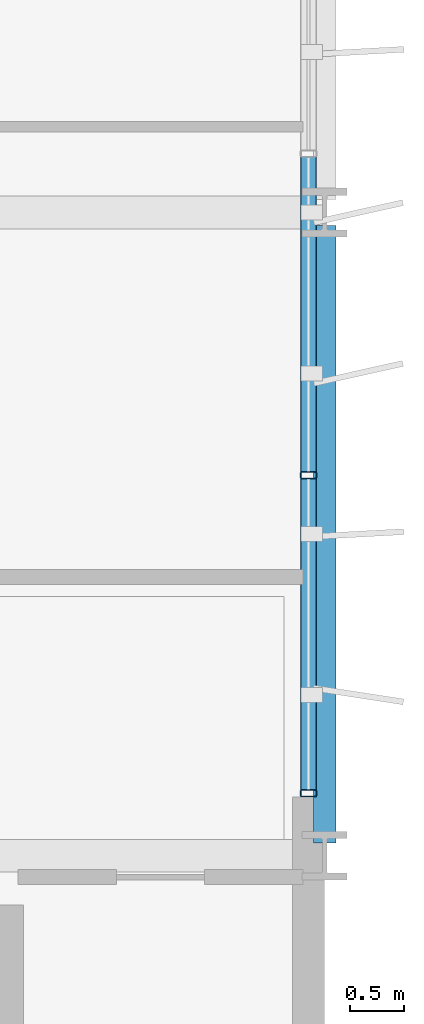
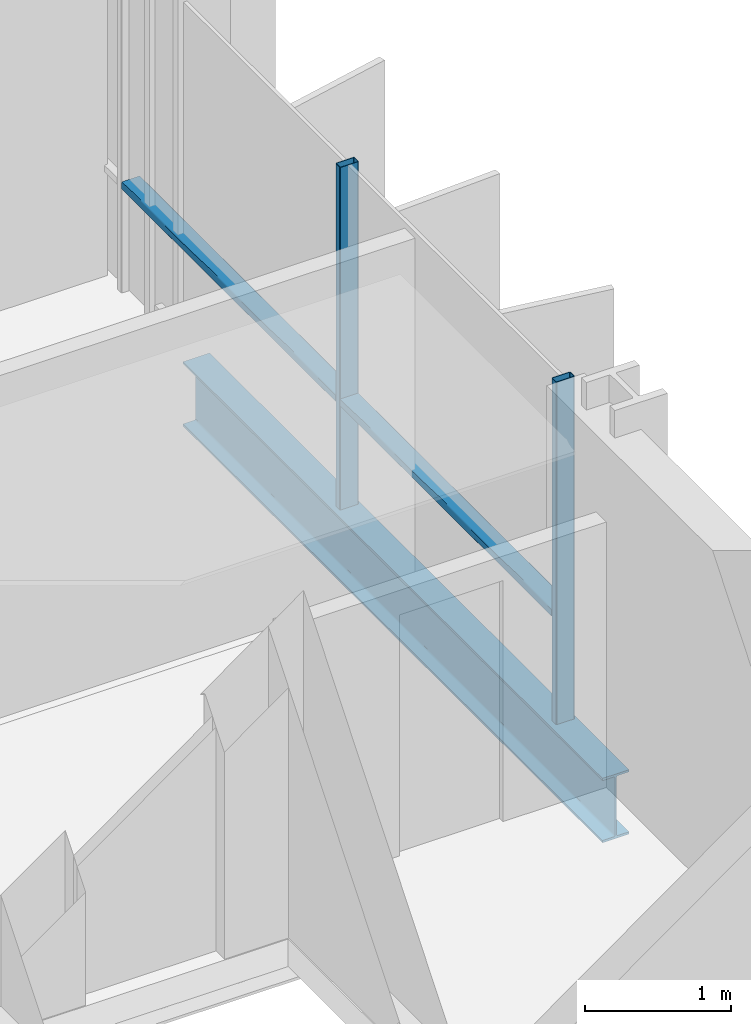
# One storey, part 15 of 39: 4 members, 1 beam, 1 element without a shape of its own.
"""IFC4 building model written with IfcOpenShell, lengths in metres."""

from ifc_helpers import new_model, si_unit, direction, frame, origin, origin_2d, place, context, subcontext, project, spatial, hollow_rectangle, i_section, extrude, material, layer, layer_set, material_profile, profile_set, type_object, element, aggregate, save


model = new_model("IFC4")

# Units and contexts
model_context = context("Model", 3, precision=1e-05, world=origin(), true_north=direction((0.0, 1.0)))
body_context = subcontext(model_context, "Body", "Model", "MODEL_VIEW")
ifc_project = project(units=[si_unit("LENGTHUNIT", "METRE"), si_unit("AREAUNIT", "SQUARE_METRE"), si_unit("VOLUMEUNIT", "CUBIC_METRE"), si_unit("PLANEANGLEUNIT", "RADIAN"), si_unit("MASSUNIT", "GRAM", prefix="KILO")], contexts=[model_context])

# Site, building, storey
site_placement = place(None, origin())
site = spatial("IfcSite", under=ifc_project, at=site_placement, CompositionType="ELEMENT")
building_placement = place(site_placement, origin())
building = spatial("IfcBuilding", under=site, at=building_placement, Name="Brevholm Reach", CompositionType="ELEMENT")
storey_placement = place(building_placement, frame((0.0, 0.0, 83.800048828125)))
storey = spatial("IfcBuildingStorey", under=building, at=storey_placement, Name="L24", CompositionType="ELEMENT", Elevation=83.800048828125)

# Beam
ifc_material_1 = material(Name="Structural Steel S355J2", Category="steel")
ifc_material_profile_1 = material_profile(ifc_material_1, i_section(OverallWidth=0.210693359375, OverallDepth=0.53955078125, WebThickness=0.01171875, FlangeThickness=0.018798828125, FilletRadius=0.0126953125, at=origin_2d()), Name="UKB 533x210x109")
ifc_profile_set_1 = profile_set([ifc_material_profile_1], Name="Structural Steel S355J2")
beam_type = type_object("IfcBeamType", Name="BM-SP539", PredefinedType="SPANDREL", material=ifc_profile_set_1)
beam_placement = place(storey_placement, frame((60.0, 10.1201171875, -0.499755859375), z_axis=(0.0, 1.0, 0.0), x_axis=(-1.0, 0.0, 0.0)))
element("IfcBeam", 1, at=beam_placement, inside=storey, type_object=beam_type, Name="L24 SP-01B Framing Beam", PredefinedType="SPANDREL", context=body_context, shape_type="SweptSolid", body=[
    extrude(i_section(OverallWidth=0.210693359375, OverallDepth=0.53955078125, WebThickness=0.01171875, FlangeThickness=0.018798828125, FilletRadius=0.0126953125, at=origin_2d()), origin(), (0.0, 0.0, 1.0), 5.759765625),
])

# Curtain wall, members
ifc_material_2 = material(Name="Dark Anodised Aluminium 6063-T6 and Solar-Control Glass", Category="aluminium")
ifc_layer = layer(ifc_material_2, 0.14990234375)
ifc_layer_set = layer_set([ifc_layer], Name="Dark Anodised Aluminium 6063-T6 and Solar-Control Glass")
curtain_wall_type = type_object("IfcCurtainWallType", Name="CW-01", PredefinedType="NOTDEFINED", material=ifc_layer_set)
curtain_wall_placement = place(storey_placement, origin())
curtain_wall = element("IfcCurtainWall", 2, at=curtain_wall_placement, inside=storey, type_object=curtain_wall_type, Name="L24 Curtain Wall CW-01", PredefinedType="NOTDEFINED")
ifc_material_3 = material(Name="Dark Anodised Aluminium 6063-T6", Category="aluminium")
ifc_material_profile_2 = material_profile(ifc_material_3, hollow_rectangle(XDim=0.06494140625, YDim=0.14990234375, WallThickness=0.0048828125, InnerFilletRadius=0.0048828125, OuterFilletRadius=0.010009765625, at=origin_2d()), Name="RHS 150x65x5")
ifc_profile_set_2 = profile_set([ifc_material_profile_2], Name="Dark Anodised Aluminium 6063-T6")
member_type_1 = type_object("IfcMemberType", Name="CWM-150", PredefinedType="MULLION", material=ifc_profile_set_2)
member_1_placement = place(storey_placement, frame((59.85009765625, 10.58251953125, 0.0), z_axis=(0.0, 0.0, 1.0), x_axis=(0.0, 1.0, 0.0)))
member_1 = element("IfcMember", 3, at=member_1_placement, type_object=member_type_1, Name="CM-150 Mullion 1", PredefinedType="MULLION", context=body_context, shape_type="SweptSolid", body=[
    extrude(hollow_rectangle(XDim=0.06494140625, YDim=0.14990234375, WallThickness=0.0048828125, InnerFilletRadius=0.0048828125, OuterFilletRadius=0.010009765625, at=origin_2d()), origin(), (0.0, 0.0, 1.0), 2.869873046875),
])
member_2_placement = place(storey_placement, frame((59.85009765625, 13.550048828125, 0.0), z_axis=(0.0, 0.0, 1.0), x_axis=(0.0, 1.0, 0.0)))
member_2 = element("IfcMember", 4, at=member_2_placement, type_object=member_type_1, Name="CM-150 Mullion 2", PredefinedType="MULLION", context=body_context, shape_type="SweptSolid", body=[
    extrude(hollow_rectangle(XDim=0.06494140625, YDim=0.14990234375, WallThickness=0.0048828125, InnerFilletRadius=0.0048828125, OuterFilletRadius=0.010009765625, at=origin_2d()), origin(), (0.0, 0.0, 1.0), 2.869873046875),
])
ifc_material_4 = material(Name="Dark Anodised Aluminium 6063-T6", Category="aluminium")
ifc_material_profile_3 = material_profile(ifc_material_4, hollow_rectangle(XDim=0.06494140625, YDim=0.14990234375, WallThickness=0.0048828125, InnerFilletRadius=0.0048828125, OuterFilletRadius=0.010009765625, at=origin_2d()), Name="RHS 150x65x5")
ifc_profile_set_3 = profile_set([ifc_material_profile_3], Name="Dark Anodised Aluminium 6063-T6")
member_type_2 = type_object("IfcMemberType", Name="CWT-150", PredefinedType="NOTDEFINED", material=ifc_profile_set_3)
member_3_placement = place(storey_placement, frame((59.85009765625, 10.614990234375, 0.89990234375), z_axis=(0.0, 1.0, 0.0), x_axis=(0.0, 0.0, 1.0)))
member_3 = element("IfcMember", 5, at=member_3_placement, type_object=member_type_2, Name="CT-150 Transom 1.1", ObjectType="TRANSOM", PredefinedType="USERDEFINED", context=body_context, shape_type="SweptSolid", body=[
    extrude(hollow_rectangle(XDim=0.06494140625, YDim=0.14990234375, WallThickness=0.0048828125, InnerFilletRadius=0.0048828125, OuterFilletRadius=0.010009765625, at=origin_2d()), origin(), (0.0, 0.0, 1.0), 2.902587890625),
])
member_4_placement = place(storey_placement, frame((59.85009765625, 13.58251953125, 0.89990234375), z_axis=(0.0, 1.0, 0.0), x_axis=(0.0, 0.0, 1.0)))
member_4 = element("IfcMember", 6, at=member_4_placement, type_object=member_type_2, Name="CT-150 Transom 2.1", ObjectType="TRANSOM", PredefinedType="USERDEFINED", context=body_context, shape_type="SweptSolid", body=[
    extrude(hollow_rectangle(XDim=0.06494140625, YDim=0.14990234375, WallThickness=0.0048828125, InnerFilletRadius=0.0048828125, OuterFilletRadius=0.010009765625, at=origin_2d()), origin(), (0.0, 0.0, 1.0), 2.93505859375),
])
aggregate(curtain_wall, [member_1, member_2, member_3, member_4])

save(model, "model.ifc")
